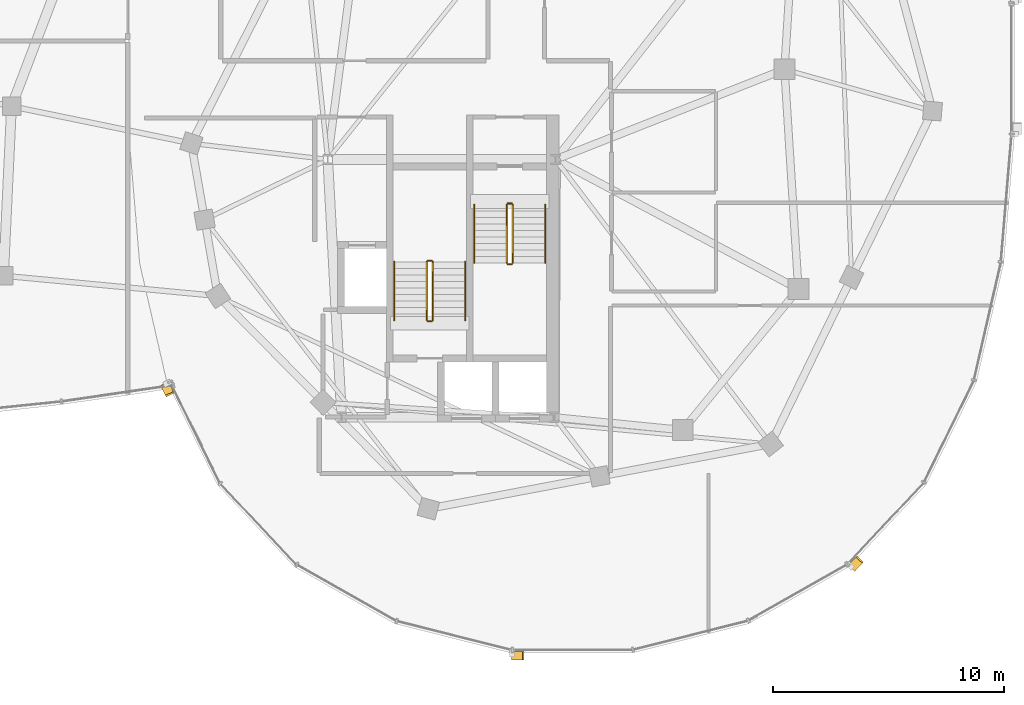
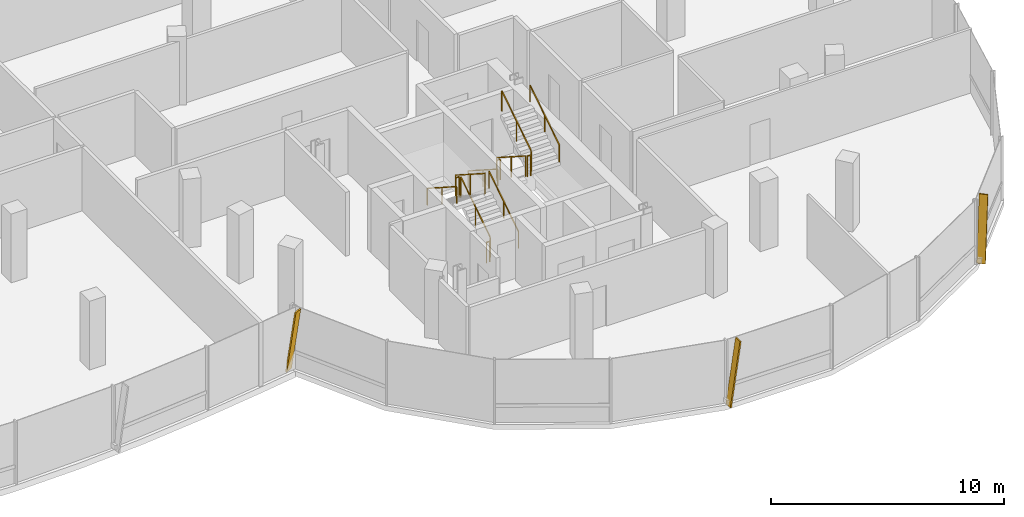
# One storey, part 24 of 25: 12 railings, 3 shading devices.
"""IFC4 building model written with IfcOpenShell, lengths in metres."""

from ifc_helpers import new_model, si_unit, direction, frame, origin, origin_2d, place, context, subcontext, project, spatial, rectangle, extrude, material, material_profile, profile_set, type_object, element, save


model = new_model("IFC4")

# Units and contexts
model_context = context("Model", 3, precision=1e-05, world=origin(), true_north=direction((0.0, 1.0)))
body_context = subcontext(model_context, "Body", "Model", "MODEL_VIEW")
ifc_project = project(units=[si_unit("LENGTHUNIT", "METRE"), si_unit("AREAUNIT", "SQUARE_METRE"), si_unit("VOLUMEUNIT", "CUBIC_METRE"), si_unit("PLANEANGLEUNIT", "RADIAN"), si_unit("MASSUNIT", "GRAM", prefix="KILO"), si_unit("THERMODYNAMICTEMPERATUREUNIT", "KELVIN"), si_unit("POWERUNIT", "WATT")], contexts=[model_context])

# Site, building, storey
site_placement = place(None, origin())
site = spatial("IfcSite", under=ifc_project, at=site_placement, CompositionType="ELEMENT")
building_placement = place(site_placement, origin())
building = spatial("IfcBuilding", under=site, at=building_placement, Name="Cundina Bronze Exchange", CompositionType="ELEMENT")
storey_placement = place(building_placement, frame((0.0, 0.0, 246.800048828125)))
storey = spatial("IfcBuildingStorey", under=building, at=storey_placement, Name="L65", CompositionType="ELEMENT", Elevation=246.800048828125)

# Railings
ifc_material_1 = material(Name="Steel ASTM A36 Painted", Category="steel")
railing_type_1 = type_object("IfcRailingType", Name="RLG-HND-900", PredefinedType="HANDRAIL", material=ifc_material_1)
railing_1_placement = place(storey_placement, frame((27.7900390625, -5.85009765625, 0.179931640625)))
element("IfcRailing", 1, at=railing_1_placement, inside=storey, type_object=railing_type_1, Name="L65 ST-E1 stair handrail 1", PredefinedType="HANDRAIL", context=body_context, shape_type="SweptSolid", body=[
    extrude(rectangle(XDim=0.048095703125, YDim=0.048095703125, at=origin_2d()), frame((0.0, 0.0, 0.8759765625), z_axis=(0.0, -0.841162588446, 0.540782303519), x_axis=(1.0, 0.0, 0.0)), (0.0, 0.0, 1.0), 2.995849609375),
    extrude(rectangle(XDim=0.0419921875, YDim=0.0419921875, at=origin_2d()), origin(), (0.0, 0.0, 1.0), 0.851806640625),
    extrude(rectangle(XDim=0.0419921875, YDim=0.0419921875, at=origin_2d()), frame((0.0, -1.260009765625, 0.81005859375)), (0.0, 0.0, 1.0), 0.851806640625),
    extrude(rectangle(XDim=0.0419921875, YDim=0.0419921875, at=origin_2d()), frame((0.0, -2.52001953125, 1.6201171875)), (0.0, 0.0, 1.0), 0.851806640625),
])
railing_2_placement = place(storey_placement, frame((30.85009765625, -8.3701171875, 1.97998046875)))
element("IfcRailing", 2, at=railing_2_placement, inside=storey, type_object=railing_type_1, Name="L65 ST-E1 stair handrail 2", PredefinedType="HANDRAIL", context=body_context, shape_type="SweptSolid", body=[
    extrude(rectangle(XDim=0.048095703125, YDim=0.048095703125, at=origin_2d()), frame((0.0, 0.0, 0.8759765625), z_axis=(0.0, 0.841199657755, 0.540724639528), x_axis=(-1.0, 0.0, 0.0)), (0.0, 0.0, 1.0), 2.995849609375),
    extrude(rectangle(XDim=0.0419921875, YDim=0.0419921875, at=origin_2d()), origin(), (0.0, 0.0, 1.0), 0.851806640625),
    extrude(rectangle(XDim=0.0419921875, YDim=0.0419921875, at=origin_2d()), frame((0.0, 1.260009765625, 0.81005859375)), (0.0, 0.0, 1.0), 0.851806640625),
    extrude(rectangle(XDim=0.0419921875, YDim=0.0419921875, at=origin_2d()), frame((0.0, 2.52001953125, 1.619873046875)), (0.0, 0.0, 1.0), 0.851806640625),
])
railing_3_placement = place(storey_placement, frame((27.389892578125, -10.85009765625, 0.179931640625)))
element("IfcRailing", 3, at=railing_3_placement, inside=storey, type_object=railing_type_1, Name="L65 ST-E2 stair handrail 1", PredefinedType="HANDRAIL", context=body_context, shape_type="SweptSolid", body=[
    extrude(rectangle(XDim=0.048095703125, YDim=0.048095703125, at=origin_2d()), frame((0.0, 0.0, 0.8759765625), z_axis=(0.0, 0.841162588446, 0.540782303519), x_axis=(-1.0, 0.0, 0.0)), (0.0, 0.0, 1.0), 2.995849609375),
    extrude(rectangle(XDim=0.0419921875, YDim=0.0419921875, at=origin_2d()), origin(), (0.0, 0.0, 1.0), 0.851806640625),
    extrude(rectangle(XDim=0.0419921875, YDim=0.0419921875, at=origin_2d()), frame((0.0, 1.260009765625, 0.81005859375)), (0.0, 0.0, 1.0), 0.851806640625),
    extrude(rectangle(XDim=0.0419921875, YDim=0.0419921875, at=origin_2d()), frame((0.0, 2.52001953125, 1.6201171875)), (0.0, 0.0, 1.0), 0.851806640625),
])
railing_4_placement = place(storey_placement, frame((24.330078125, -8.330078125, 1.97998046875)))
element("IfcRailing", 4, at=railing_4_placement, inside=storey, type_object=railing_type_1, Name="L65 ST-E2 stair handrail 2", PredefinedType="HANDRAIL", context=body_context, shape_type="SweptSolid", body=[
    extrude(rectangle(XDim=0.048095703125, YDim=0.048095703125, at=origin_2d()), frame((0.0, 0.0, 0.8759765625), z_axis=(0.0, -0.841199657755, 0.540724639528), x_axis=(1.0, 0.0, 0.0)), (0.0, 0.0, 1.0), 2.995849609375),
    extrude(rectangle(XDim=0.0419921875, YDim=0.0419921875, at=origin_2d()), origin(), (0.0, 0.0, 1.0), 0.851806640625),
    extrude(rectangle(XDim=0.0419921875, YDim=0.0419921875, at=origin_2d()), frame((0.0, -1.260009765625, 0.81005859375)), (0.0, 0.0, 1.0), 0.851806640625),
    extrude(rectangle(XDim=0.0419921875, YDim=0.0419921875, at=origin_2d()), frame((0.0, -2.52001953125, 1.619873046875)), (0.0, 0.0, 1.0), 0.851806640625),
])
railing_type_2 = type_object("IfcRailingType", Name="RLG-STG-1100", PredefinedType="GUARDRAIL", material=ifc_material_1)
railing_5_placement = place(storey_placement, frame((29.18994140625, -5.85009765625, 0.179931640625)))
element("IfcRailing", 5, at=railing_5_placement, inside=storey, type_object=railing_type_2, Name="L65 ST-E1 stair guard 1", PredefinedType="GUARDRAIL", context=body_context, shape_type="SweptSolid", body=[
    extrude(rectangle(XDim=0.048095703125, YDim=0.048095703125, at=origin_2d()), frame((0.0, 0.0, 1.076171875), z_axis=(0.0, -0.841162588446, 0.540782303519), x_axis=(1.0, 0.0, 0.0)), (0.0, 0.0, 1.0), 2.995849609375),
    extrude(rectangle(XDim=0.0419921875, YDim=0.0419921875, at=origin_2d()), origin(), (0.0, 0.0, 1.0), 1.052001953125),
    extrude(rectangle(XDim=0.0419921875, YDim=0.0419921875, at=origin_2d()), frame((0.0, -1.260009765625, 0.81005859375)), (0.0, 0.0, 1.0), 1.052001953125),
    extrude(rectangle(XDim=0.0419921875, YDim=0.0419921875, at=origin_2d()), frame((0.0, -2.52001953125, 1.6201171875)), (0.0, 0.0, 1.0), 1.052001953125),
])
railing_6_placement = place(storey_placement, frame((29.239990234375, -8.419921875, 1.800048828125)))
element("IfcRailing", 6, at=railing_6_placement, inside=storey, type_object=railing_type_2, Name="L65 ST-E1 stair guard 2", PredefinedType="GUARDRAIL", context=body_context, shape_type="SweptSolid", body=[
    extrude(rectangle(XDim=0.048095703125, YDim=0.048095703125, at=origin_2d()), frame((0.0, 0.0, 1.076171875), z_axis=(1.0, 0.0, 0.0), x_axis=(0.0, 1.0, 0.0)), (0.0, 0.0, 1.0), 0.159912109375),
    extrude(rectangle(XDim=0.0419921875, YDim=0.0419921875, at=origin_2d()), origin(), (0.0, 0.0, 1.0), 1.052001953125),
    extrude(rectangle(XDim=0.0419921875, YDim=0.0419921875, at=origin_2d()), frame((0.159912109375, 0.0, 0.0)), (0.0, 0.0, 1.0), 1.052001953125),
])
railing_7_placement = place(storey_placement, frame((29.449951171875, -8.3701171875, 1.97998046875)))
element("IfcRailing", 7, at=railing_7_placement, inside=storey, type_object=railing_type_2, Name="L65 ST-E1 stair guard 3", PredefinedType="GUARDRAIL", context=body_context, shape_type="SweptSolid", body=[
    extrude(rectangle(XDim=0.048095703125, YDim=0.048095703125, at=origin_2d()), frame((0.0, 0.0, 1.076171875), z_axis=(0.0, 0.841199657755, 0.540724639528), x_axis=(-1.0, 0.0, 0.0)), (0.0, 0.0, 1.0), 2.995849609375),
    extrude(rectangle(XDim=0.0419921875, YDim=0.0419921875, at=origin_2d()), origin(), (0.0, 0.0, 1.0), 1.052001953125),
    extrude(rectangle(XDim=0.0419921875, YDim=0.0419921875, at=origin_2d()), frame((0.0, 1.260009765625, 0.81005859375)), (0.0, 0.0, 1.0), 1.052001953125),
    extrude(rectangle(XDim=0.0419921875, YDim=0.0419921875, at=origin_2d()), frame((0.0, 2.52001953125, 1.619873046875)), (0.0, 0.0, 1.0), 1.052001953125),
])
railing_8_placement = place(storey_placement, frame((29.239990234375, -5.800048828125, 0.0)))
element("IfcRailing", 8, at=railing_8_placement, inside=storey, type_object=railing_type_2, Name="L65 ST-E1 stair guard 4", PredefinedType="GUARDRAIL", context=body_context, shape_type="SweptSolid", body=[
    extrude(rectangle(XDim=0.048095703125, YDim=0.048095703125, at=origin_2d()), frame((0.0, 0.0, 1.076171875), z_axis=(1.0, 0.0, 0.0), x_axis=(0.0, 1.0, 0.0)), (0.0, 0.0, 1.0), 0.159912109375),
    extrude(rectangle(XDim=0.0419921875, YDim=0.0419921875, at=origin_2d()), origin(), (0.0, 0.0, 1.0), 1.052001953125),
    extrude(rectangle(XDim=0.0419921875, YDim=0.0419921875, at=origin_2d()), frame((0.159912109375, 0.0, 0.0)), (0.0, 0.0, 1.0), 1.052001953125),
])
railing_9_placement = place(storey_placement, frame((25.989990234375, -10.85009765625, 0.179931640625)))
element("IfcRailing", 9, at=railing_9_placement, inside=storey, type_object=railing_type_2, Name="L65 ST-E2 stair guard 1", PredefinedType="GUARDRAIL", context=body_context, shape_type="SweptSolid", body=[
    extrude(rectangle(XDim=0.048095703125, YDim=0.048095703125, at=origin_2d()), frame((0.0, 0.0, 1.076171875), z_axis=(0.0, 0.841162588446, 0.540782303519), x_axis=(-1.0, 0.0, 0.0)), (0.0, 0.0, 1.0), 2.995849609375),
    extrude(rectangle(XDim=0.0419921875, YDim=0.0419921875, at=origin_2d()), origin(), (0.0, 0.0, 1.0), 1.052001953125),
    extrude(rectangle(XDim=0.0419921875, YDim=0.0419921875, at=origin_2d()), frame((0.0, 1.260009765625, 0.81005859375)), (0.0, 0.0, 1.0), 1.052001953125),
    extrude(rectangle(XDim=0.0419921875, YDim=0.0419921875, at=origin_2d()), frame((0.0, 2.52001953125, 1.6201171875)), (0.0, 0.0, 1.0), 1.052001953125),
])
railing_10_placement = place(storey_placement, frame((25.93994140625, -8.280029296875, 1.800048828125)))
element("IfcRailing", 10, at=railing_10_placement, inside=storey, type_object=railing_type_2, Name="L65 ST-E2 stair guard 2", PredefinedType="GUARDRAIL", context=body_context, shape_type="SweptSolid", body=[
    extrude(rectangle(XDim=0.048095703125, YDim=0.048095703125, at=origin_2d()), frame((0.0, 0.0, 1.076171875), z_axis=(-1.0, 0.0, 0.0), x_axis=(0.0, -1.0, 0.0)), (0.0, 0.0, 1.0), 0.159912109375),
    extrude(rectangle(XDim=0.0419921875, YDim=0.0419921875, at=origin_2d()), origin(), (0.0, 0.0, 1.0), 1.052001953125),
    extrude(rectangle(XDim=0.0419921875, YDim=0.0419921875, at=origin_2d()), frame((-0.159912109375, 0.0, 0.0)), (0.0, 0.0, 1.0), 1.052001953125),
])
railing_11_placement = place(storey_placement, frame((25.72998046875, -8.330078125, 1.97998046875)))
element("IfcRailing", 11, at=railing_11_placement, inside=storey, type_object=railing_type_2, Name="L65 ST-E2 stair guard 3", PredefinedType="GUARDRAIL", context=body_context, shape_type="SweptSolid", body=[
    extrude(rectangle(XDim=0.048095703125, YDim=0.048095703125, at=origin_2d()), frame((0.0, 0.0, 1.076171875), z_axis=(0.0, -0.841199657755, 0.540724639528), x_axis=(1.0, 0.0, 0.0)), (0.0, 0.0, 1.0), 2.995849609375),
    extrude(rectangle(XDim=0.0419921875, YDim=0.0419921875, at=origin_2d()), origin(), (0.0, 0.0, 1.0), 1.052001953125),
    extrude(rectangle(XDim=0.0419921875, YDim=0.0419921875, at=origin_2d()), frame((0.0, -1.260009765625, 0.81005859375)), (0.0, 0.0, 1.0), 1.052001953125),
    extrude(rectangle(XDim=0.0419921875, YDim=0.0419921875, at=origin_2d()), frame((0.0, -2.52001953125, 1.619873046875)), (0.0, 0.0, 1.0), 1.052001953125),
])
railing_12_placement = place(storey_placement, frame((25.93994140625, -10.89990234375, 0.0)))
element("IfcRailing", 12, at=railing_12_placement, inside=storey, type_object=railing_type_2, Name="L65 ST-E2 stair guard 4", PredefinedType="GUARDRAIL", context=body_context, shape_type="SweptSolid", body=[
    extrude(rectangle(XDim=0.048095703125, YDim=0.048095703125, at=origin_2d()), frame((0.0, 0.0, 1.076171875), z_axis=(-1.0, 0.0, 0.0), x_axis=(0.0, -1.0, 0.0)), (0.0, 0.0, 1.0), 0.159912109375),
    extrude(rectangle(XDim=0.0419921875, YDim=0.0419921875, at=origin_2d()), origin(), (0.0, 0.0, 1.0), 1.052001953125),
    extrude(rectangle(XDim=0.0419921875, YDim=0.0419921875, at=origin_2d()), frame((-0.159912109375, 0.0, 0.0)), (0.0, 0.0, 1.0), 1.052001953125),
])

# Shading devices
ifc_material_2 = material(Name="Anodised Bronze Aluminium 6063-T6", Category="aluminium")
ifc_material_profile = material_profile(ifc_material_2, rectangle(XDim=0.070068359375, YDim=0.3798828125, at=origin_2d()), Name="FIN70X380", Category="aluminium")
ifc_profile_set = profile_set([ifc_material_profile], Name="Anodised Bronze Aluminium 6063-T6")
shading_device_type = type_object("IfcShadingDeviceType", Name="SHD-FIN-BRZ380", PredefinedType="USERDEFINED", material=ifc_profile_set)
for number, where, z_axis, x_axis, name in (
    (13, (14.406494140625, -13.614013671875, 0.02001953125), (0.063400368732, -0.129216686851, 0.989587510574), (-0.435900311632, 0.888411143223, 0.143932480407), "L65 Diagonal Bronze Solar Fin 1"),
    (14, (29.423583984375, -25.360107421875, 0.02001953125), (0.143932024572, 0.0, 0.989587576874), (-0.989587576874, 0.0, 0.143932024572), "L65 Diagonal Bronze Solar Fin 5"),
    (15, (44.122314453125, -21.55078125, 0.02001953125), (0.098541444371, 0.10491076507, 0.989587446926), (-0.677505727677, -0.721296959704, 0.143932918008), "L65 Diagonal Bronze Solar Fin 1"),
):
    element("IfcShadingDevice", number, at=place(storey_placement, frame(where, z_axis=z_axis, x_axis=x_axis)), inside=storey, type_object=shading_device_type, Name=name, ObjectType="FIN", PredefinedType="USERDEFINED", context=body_context, shape_type="SweptSolid", body=[
        extrude(rectangle(XDim=0.070068359375, YDim=0.3798828125, at=origin_2d()), origin(), (0.0, 0.0, 1.0), 3.334716796875),
    ])

save(model, "model.ifc")
